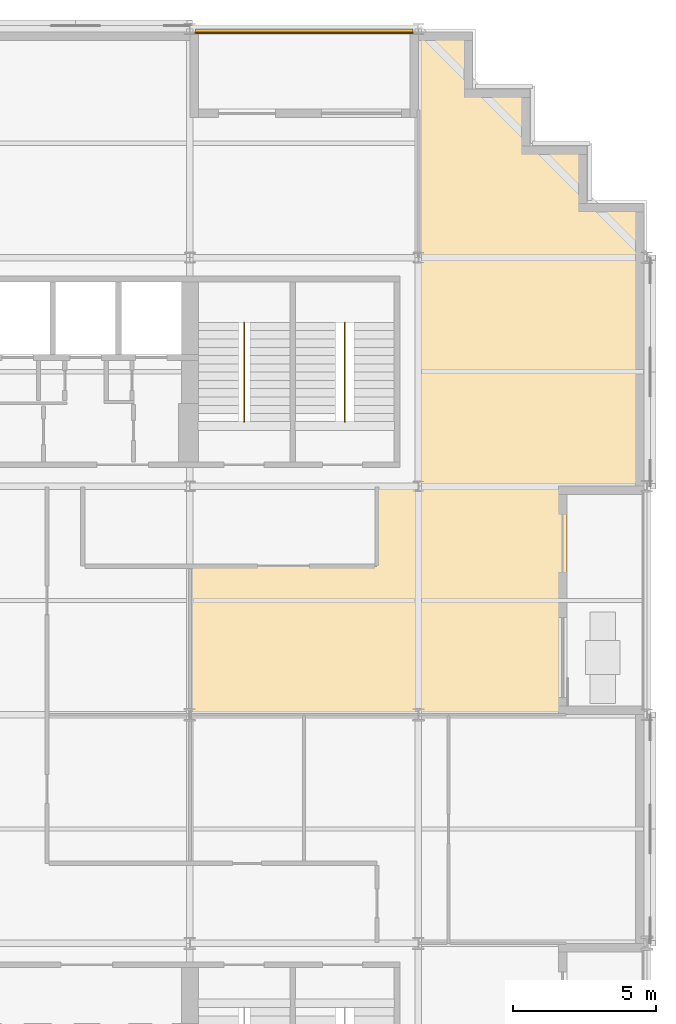
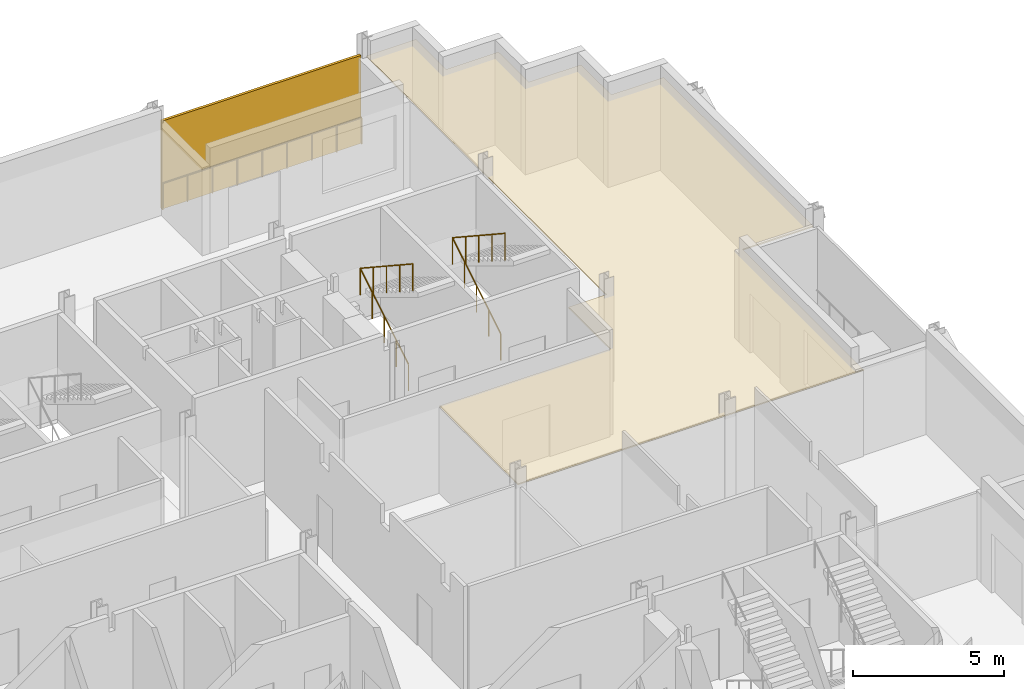
# One storey, part 14 of 15: 3 railings, 1 covering, 1 shading device.
"""IFC4 building model written with IfcOpenShell, lengths in metres."""

from ifc_helpers import new_model, si_unit, direction, frame, origin, origin_2d, place, context, subcontext, project, spatial, polyline, rectangle, circle, outline, extrude, material, layer, layer_set, type_object, element, save


model = new_model("IFC4")

# Units and contexts
model_context = context("Model", 3, precision=1e-05, world=origin(), true_north=direction((0.0, 1.0)))
body_context = subcontext(model_context, "Body", "Model", "MODEL_VIEW")
ifc_project = project(units=[si_unit("LENGTHUNIT", "METRE"), si_unit("AREAUNIT", "SQUARE_METRE"), si_unit("VOLUMEUNIT", "CUBIC_METRE"), si_unit("PLANEANGLEUNIT", "RADIAN"), si_unit("MASSUNIT", "GRAM", prefix="KILO")], contexts=[model_context])

# Site, building, storey
site_placement = place(None, origin())
site = spatial("IfcSite", under=ifc_project, at=site_placement, CompositionType="ELEMENT")
building_placement = place(site_placement, origin())
building = spatial("IfcBuilding", under=site, at=building_placement, Name="Immortelle Media Tower", CompositionType="ELEMENT")
storey_placement = place(building_placement, frame((0.0, 0.0, 83.199951171875)))
storey = spatial("IfcBuildingStorey", under=building, at=storey_placement, Name="L15", CompositionType="ELEMENT", Elevation=83.199951171875)

# Railing
ifc_material_1 = material(Name="Powder-coated aluminium fretwork panel, laminated glass backing", Category="aluminium")
railing_type_1 = type_object("IfcRailingType", Name="Fretwork balustrade 1100", PredefinedType="BALUSTRADE", material=ifc_material_1)
railing_placement = place(storey_placement, frame((39.802978515625, 47.860107421875, 0.0)))
element("IfcRailing", 1, at=railing_placement, inside=storey, type_object=railing_type_1, Name="Fretwork balustrade L15 N0", PredefinedType="BALUSTRADE", context=body_context, shape_type="SweptSolid", body=[
    extrude(circle(Radius=0.02490234375, at=origin_2d()), frame((0.0, 0.0, 1.0751953125), z_axis=(-1.0, 0.0, 0.0), x_axis=(0.0, -1.0, 0.0)), (0.0, 0.0, 1.0), 7.6025390625),
    extrude(circle(Radius=0.02001953125, at=origin_2d()), origin(), (0.0, 0.0, 1.0), 1.050048828125),
    extrude(circle(Radius=0.02001953125, at=origin_2d()), frame((-0.9501953125, 0.0, 0.0)), (0.0, 0.0, 1.0), 1.050048828125),
    extrude(circle(Radius=0.02001953125, at=origin_2d()), frame((-1.900634765625, 0.0, 0.0)), (0.0, 0.0, 1.0), 1.050048828125),
    extrude(circle(Radius=0.02001953125, at=origin_2d()), frame((-2.85107421875, 0.0, 0.0)), (0.0, 0.0, 1.0), 1.050048828125),
    extrude(circle(Radius=0.02001953125, at=origin_2d()), frame((-3.80126953125, 0.0, 0.0)), (0.0, 0.0, 1.0), 1.050048828125),
    extrude(circle(Radius=0.02001953125, at=origin_2d()), frame((-4.75146484375, 0.0, 0.0)), (0.0, 0.0, 1.0), 1.050048828125),
    extrude(circle(Radius=0.02001953125, at=origin_2d()), frame((-5.701904296875, 0.0, 0.0)), (0.0, 0.0, 1.0), 1.050048828125),
    extrude(circle(Radius=0.02001953125, at=origin_2d()), frame((-6.65234375, 0.0, 0.0)), (0.0, 0.0, 1.0), 1.050048828125),
    extrude(circle(Radius=0.02001953125, at=origin_2d()), frame((-7.6025390625, 0.0, 0.0)), (0.0, 0.0, 1.0), 1.050048828125),
])

# Shading device
ifc_material_2 = material(Name="Pale aluminium louvre blades", Category="aluminium")
ifc_layer_1 = layer(ifc_material_2, 0.10009765625)
ifc_layer_set_1 = layer_set([ifc_layer_1], Name="Pale aluminium louvre blades")
shading_device_type = type_object("IfcShadingDeviceType", Name="Jalousie screen 100", PredefinedType="JALOUSIE", material=ifc_layer_set_1)
shading_device_placement = place(storey_placement, frame((36.001708984375, 47.949951171875, 0.0), z_axis=(0.0, 0.0, 1.0), x_axis=(-1.0, 0.0, 0.0)))
element("IfcShadingDevice", 2, at=shading_device_placement, inside=storey, type_object=shading_device_type, Name="Jalousie screen L15 N0", PredefinedType="JALOUSIE", context=body_context, shape_type="SweptSolid", body=[
    extrude(rectangle(XDim=7.6025390625, YDim=0.10009765625, at=origin_2d()), origin(), (0.0, 0.0, 1.0), 3.556884765625),
])

# Railings
ifc_material_3 = material(Name="Stainless steel AISI 316", Category="steel")
railing_type_2 = type_object("IfcRailingType", Name="Stair guard 1100", PredefinedType="GUARDRAIL", material=ifc_material_3)
for number, where, name in (
    (3, (33.89990234375, 34.5400390625, 0.176025390625), "Stair guard NE1"),
    (4, (37.425048828125, 34.5400390625, 0.176025390625), "Stair guard NE2"),
):
    element("IfcRailing", number, at=place(storey_placement, frame(where)), inside=storey, type_object=railing_type_2, Name=name, PredefinedType="GUARDRAIL", context=body_context, shape_type="SweptSolid", body=[
        extrude(circle(Radius=0.02392578125, at=origin_2d()), frame((0.0, 0.0, 1.076171875), z_axis=(0.0, 0.854872504309, 0.518838126371), x_axis=(-1.0, 0.0, 0.0)), (0.0, 0.0, 1.0), 3.7314453125),
        extrude(circle(Radius=0.02392578125, at=origin_2d()), frame((0.0, 3.18994140625, 3.01220703125), z_axis=(0.0, -0.835568629342, 0.549386080693), x_axis=(1.0, 0.0, 0.0)), (0.0, 0.0, 1.0), 4.164794921875),
        extrude(circle(Radius=0.02099609375, at=origin_2d()), origin(), (0.0, 0.0, 1.0), 1.052001953125),
        extrude(circle(Radius=0.02099609375, at=origin_2d()), frame((0.0, 0.79736328125, 0.48388671875)), (0.0, 0.0, 1.0), 1.052001953125),
        extrude(circle(Radius=0.02099609375, at=origin_2d()), frame((0.0, 1.594970703125, 0.968017578125)), (0.0, 0.0, 1.0), 1.052001953125),
        extrude(circle(Radius=0.02099609375, at=origin_2d()), frame((0.0, 2.392578125, 1.4521484375)), (0.0, 0.0, 1.0), 1.052001953125),
        extrude(circle(Radius=0.02099609375, at=origin_2d()), frame((0.0, 3.18994140625, 1.93603515625)), (0.0, 0.0, 1.0), 1.052001953125),
        extrude(circle(Radius=0.02099609375, at=origin_2d()), frame((0.0, 2.31982421875, 2.508056640625)), (0.0, 0.0, 1.0), 1.052001953125),
        extrude(circle(Radius=0.02099609375, at=origin_2d()), frame((0.0, 1.449951171875, 3.080078125)), (0.0, 0.0, 1.0), 1.052001953125),
        extrude(circle(Radius=0.02099609375, at=origin_2d()), frame((0.0, 0.580078125, 3.652099609375)), (0.0, 0.0, 1.0), 1.052001953125),
        extrude(circle(Radius=0.02099609375, at=origin_2d()), frame((0.0, -0.2900390625, 4.22412109375)), (0.0, 0.0, 1.0), 1.052001953125),
    ])

# Covering
ifc_material_4 = material(Name="Mineral fibre tile ceiling")
ifc_layer_2 = layer(ifc_material_4, 0.050048828125)
ifc_layer_set_2 = layer_set([ifc_layer_2], Name="Mineral fibre tile ceiling")
covering_type = type_object("IfcCoveringType", Name="Suspended ceiling 50", PredefinedType="CEILING", material=ifc_layer_set_2)
covering_placement = place(storey_placement, frame((0.0, 0.0, 3.420166015625)))
element("IfcCovering", 5, at=covering_placement, inside=storey, type_object=covering_type, Name="Ceiling L15-019", PredefinedType="CEILING", context=body_context, shape_type="SweptSolid", body=[
    extrude(outline(polyline([(38.550048828125, 32.0), (40.0, 32.0), (40.0, 40.0), (40.0, 45.199951171875), (40.0, 47.89990234375), (41.89990234375, 47.89990234375), (41.89990234375, 45.89990234375), (43.89990234375, 45.89990234375), (43.89990234375, 43.89990234375), (45.89990234375, 43.89990234375), (45.89990234375, 41.89990234375), (47.89990234375, 41.89990234375), (47.89990234375, 40.0), (47.89990234375, 32.0), (45.199951171875, 32.0), (45.199951171875, 24.0), (40.0, 24.0), (32.0, 24.0), (32.0, 29.199951171875), (38.550048828125, 29.199951171875), (38.550048828125, 32.0)])), origin(), (0.0, 0.0, 1.0), 0.0498046875),
])

save(model, "model.ifc")
